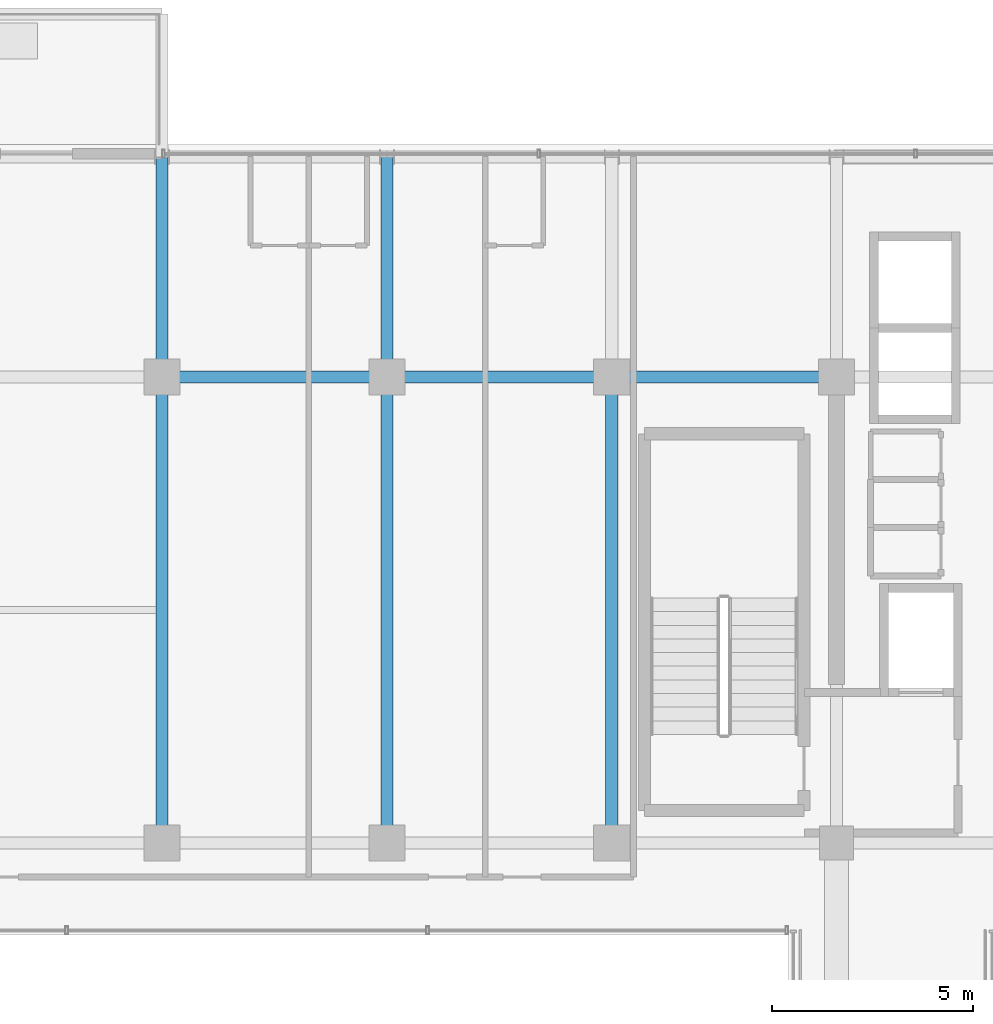
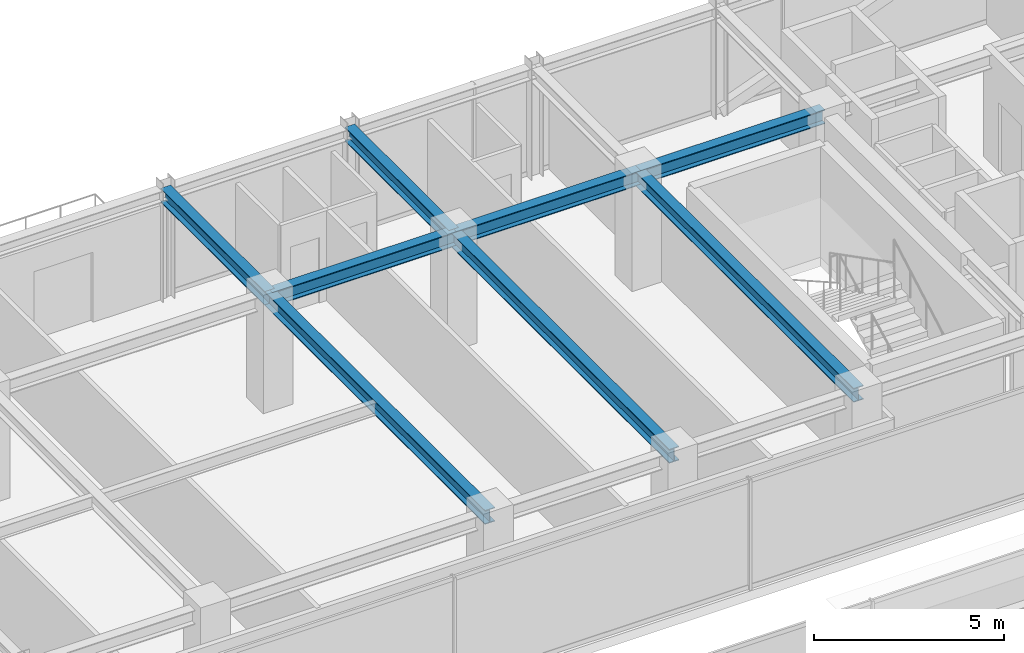
# One storey, part 27 of 41: 8 beams.
"""IFC4 building model written with IfcOpenShell, lengths in metres."""

import ifcopenshell
import ifcopenshell.guid

model = None  # the IFC model being written
_history = None  # IfcOwnerHistory: only IFC2X3 demands one
_inside = {}  # id of a spatial element -> (the spatial element, [elements in it])
_under = {}  # id of a project, library or spatial element -> (it, [spatial elements below it])
_declared = {}  # id of a project -> (the project, [libraries it declares])
_typed = {}  # id of a type object -> (the type object, [elements of that type])
_made_of = {}  # id of a material, layer set ... -> (it, [elements and type objects made of it])


def new_model(schema):
    """Start an empty IFC model of exactly this schema.

    Asked for "IFC4X3", IfcOpenShell would pick the latest addendum, in which some entities
    have other attributes; the version numbers below select the first issue.
    IFC2X3 requires an IfcOwnerHistory on every rooted entity: one is made here for all.
    """
    global model, _history
    if schema == "IFC4X3":
        model = ifcopenshell.file(schema_version=(4, 3, 0, 0))
    else:
        model = ifcopenshell.file(schema=schema)
    _inside.clear()
    _under.clear()
    _declared.clear()
    _typed.clear()
    _made_of.clear()
    _history = None
    if model.schema == "IFC2X3":
        org = make("IfcOrganization", Name="unknown")
        user = make(
            "IfcPersonAndOrganization",
            ThePerson=make("IfcPerson", FamilyName="unknown"),
            TheOrganization=org,
        )
        app = make(
            "IfcApplication",
            ApplicationDeveloper=org,
            Version="unknown",
            ApplicationFullName="unknown",
            ApplicationIdentifier="unknown",
        )
        _history = make(
            "IfcOwnerHistory",
            OwningUser=user,
            OwningApplication=app,
            ChangeAction="ADDED",
            CreationDate=0,
        )
    return model


def make(cls, **values):
    """One entity of the class cls with the attributes given. An attribute that is None is left unset."""
    return model.create_entity(
        cls, **{name: value for name, value in values.items() if value is not None}
    )


def rooted(cls, **values):
    """An entity with a GlobalId (a new one), such as an element, a storey or a relation."""
    return make(cls, GlobalId=ifcopenshell.guid.new(), OwnerHistory=_history, **values)


def si_unit(unit_type, name, prefix=None):
    """IfcSIUnit, for example si_unit("LENGTHUNIT", "METRE", prefix="MILLI")."""
    return make("IfcSIUnit", UnitType=unit_type, Prefix=prefix, Name=name)


def assignment(units):
    """IfcUnitAssignment: the units of a project."""
    return None if units is None else make("IfcUnitAssignment", Units=units)


def point(xyz):
    """IfcCartesianPoint."""
    return None if xyz is None else make("IfcCartesianPoint", Coordinates=xyz)


def direction(xyz):
    """IfcDirection."""
    return None if xyz is None else make("IfcDirection", DirectionRatios=xyz)


def frame(location, z_axis=None, x_axis=None):
    """IfcAxis2Placement3D, a coordinate frame: its origin and axes. An axis left out is left unset."""
    return make(
        "IfcAxis2Placement3D",
        Location=point(location),
        Axis=direction(z_axis),
        RefDirection=direction(x_axis),
    )


def frame_2d(location, x_axis=None):
    """IfcAxis2Placement2D, a coordinate frame in the plane: its origin and x axis."""
    return make(
        "IfcAxis2Placement2D", Location=point(location), RefDirection=direction(x_axis)
    )


def origin():
    """The frame at (0, 0, 0) with its axes left unset."""
    return frame((0.0, 0.0, 0.0))


def origin_2d():
    """The frame at (0, 0) in the plane with its x axis left unset."""
    return frame_2d((0.0, 0.0))


def place(relative_to, where):
    """IfcLocalPlacement: puts the frame where relative to a parent placement (None: the world)."""
    return make(
        "IfcLocalPlacement", PlacementRelTo=relative_to, RelativePlacement=where
    )


def context(
    kind, dimensions, precision=None, world=None, true_north=None, identifier=None
):
    """IfcGeometricRepresentationContext, for example the 3D "Model" context."""
    return make(
        "IfcGeometricRepresentationContext",
        ContextIdentifier=identifier,
        ContextType=kind,
        CoordinateSpaceDimension=dimensions,
        Precision=precision,
        WorldCoordinateSystem=world,
        TrueNorth=true_north,
    )


def subcontext(parent, identifier, kind, view, scale=None):
    """IfcGeometricRepresentationSubContext, for example "Body" below "Model"."""
    return make(
        "IfcGeometricRepresentationSubContext",
        ContextIdentifier=identifier,
        ContextType=kind,
        ParentContext=parent,
        TargetScale=scale,
        TargetView=view,
    )


def project(units=None, contexts=None):
    """IfcProject with its units and contexts."""
    return rooted(
        "IfcProject",
        Name="project",
        RepresentationContexts=contexts,
        UnitsInContext=assignment(units),
    )


def spatial(cls, under=None, at=None, **own):
    """A site, building, storey or space (cls), placed at a placement, below another one or the project."""
    s = rooted(cls, ObjectPlacement=at, **own)
    if under is not None:
        _under.setdefault(under.id(), (under, []))[1].append(s)
    return s


def profile(cls, at=None, kind="AREA", **sizes):
    """A parametric profile (cls). Its sizes go by their IFC names, for example OverallWidth=200.0."""
    return make(cls, ProfileType=kind, Position=at, **sizes)


def i_section(**sizes):
    """IfcIShapeProfileDef."""
    return profile("IfcIShapeProfileDef", **sizes)


def extrude(swept, where, along, depth):
    """IfcExtrudedAreaSolid: the profile swept, set in the frame where, extruded along a direction by depth."""
    return make(
        "IfcExtrudedAreaSolid",
        SweptArea=swept,
        Position=where,
        ExtrudedDirection=direction(along),
        Depth=depth,
    )


def shape(context_of_items, identifier, shape_type, items):
    """IfcShapeRepresentation: the items that make up one representation, for example the "Body"."""
    return make(
        "IfcShapeRepresentation",
        ContextOfItems=context_of_items,
        RepresentationIdentifier=identifier,
        RepresentationType=shape_type,
        Items=items,
    )


def source(mapping_origin, context_of_items, identifier, shape_type, items):
    """IfcRepresentationMap: a shape defined once, which mapped items show again and again."""
    return make(
        "IfcRepresentationMap",
        MappingOrigin=mapping_origin,
        MappedRepresentation=shape(context_of_items, identifier, shape_type, items),
    )


def transform(
    local_origin,
    x_axis=None,
    y_axis=None,
    z_axis=None,
    scale=None,
    scale2=None,
    scale3=None,
    uniform=True,
):
    """IfcCartesianTransformationOperator3D, or its non-uniform kind. x_axis, y_axis, z_axis: its Axis1, 2, 3."""
    if uniform:
        return make(
            "IfcCartesianTransformationOperator3D",
            Axis1=direction(x_axis),
            Axis2=direction(y_axis),
            LocalOrigin=point(local_origin),
            Scale=scale,
            Axis3=direction(z_axis),
        )
    return make(
        "IfcCartesianTransformationOperator3DnonUniform",
        Axis1=direction(x_axis),
        Axis2=direction(y_axis),
        LocalOrigin=point(local_origin),
        Scale=scale,
        Axis3=direction(z_axis),
        Scale2=scale2,
        Scale3=scale3,
    )


def mapped(mapping_source, mapping_target):
    """IfcMappedItem: shows the shape of a source again, moved by a transform."""
    return make(
        "IfcMappedItem", MappingSource=mapping_source, MappingTarget=mapping_target
    )


def material(Name=None, Category=None):
    """IfcMaterial."""
    return make("IfcMaterial", Name=Name, Category=Category)


def material_profile(
    of_material, cross_section, Name=None, Category=None, Priority=None
):
    """IfcMaterialProfile: a cross section and its material."""
    return make(
        "IfcMaterialProfile",
        Name=Name,
        Material=of_material,
        Profile=cross_section,
        Priority=Priority,
        Category=Category,
    )


def profile_set(profiles, Name=None, composite=None):
    """IfcMaterialProfileSet."""
    return make(
        "IfcMaterialProfileSet",
        Name=Name,
        MaterialProfiles=profiles,
        CompositeProfile=composite,
    )


def made_of(thing, what):
    """Note that an element or type object is made of a material, layer set ...; save() writes the relation."""
    if what is not None:
        _made_of.setdefault(what.id(), (what, []))[1].append(thing)
    return thing


def type_object(cls, material=None, **own):
    """A type object (cls), such as IfcWallType, which elements share."""
    return made_of(rooted(cls, **own), material)


def element(
    cls,
    number,
    at=None,
    inside=None,
    cuts=None,
    type_object=None,
    material=None,
    context=None,
    identifier="Body",
    shape_type=None,
    held_by="IfcProductDefinitionShape",
    body=None,
    shapes=None,
    **own,
):
    """One element of the class cls, such as IfcWall. Its Tag is "e" and its number.

    at: its placement. inside: the storey or other place that contains it. cuts: it is an
    opening in that element (IfcRelVoidsElement). A single representation is given by context,
    identifier, shape_type and body (its items); several are given by shapes. held_by: the class
    of the entity that holds the representations. save() writes the other relations.
    """
    e = rooted(cls, Tag="e%d" % number, ObjectPlacement=at, **own)
    if body is not None:
        shapes = [shape(context, identifier, shape_type, body)]
    if shapes is not None:
        e.Representation = make(held_by, Representations=shapes)
    if inside is not None:
        _inside.setdefault(inside.id(), (inside, []))[1].append(e)
    if cuts is not None:
        rooted(
            "IfcRelVoidsElement", RelatingBuildingElement=cuts, RelatedOpeningElement=e
        )
    if type_object is not None:
        _typed.setdefault(type_object.id(), (type_object, []))[1].append(e)
    return made_of(e, material)


def aggregate(whole, parts):
    """IfcRelAggregates: a whole, such as a stair, and the parts it consists of."""
    return rooted("IfcRelAggregates", RelatingObject=whole, RelatedObjects=parts)


def save(model, path):
    """Write the relations noted so far, then the file.

    IfcRelAggregates (storeys below a building ...), IfcRelContainedInSpatialStructure (elements
    in a storey), IfcRelDefinesByType, IfcRelAssociatesMaterial and IfcRelDeclares: one each for
    every whole, place, type object, material and project.
    """
    for whole, parts in _under.values():
        aggregate(whole, parts)
    for where, things in _inside.values():
        rooted(
            "IfcRelContainedInSpatialStructure",
            RelatedElements=things,
            RelatingStructure=where,
        )
    for kind, things in _typed.values():
        rooted("IfcRelDefinesByType", RelatedObjects=things, RelatingType=kind)
    for what, things in _made_of.values():
        rooted("IfcRelAssociatesMaterial", RelatedObjects=things, RelatingMaterial=what)
    for by, libraries in _declared.values():
        rooted("IfcRelDeclares", RelatingContext=by, RelatedDefinitions=libraries)
    model.write(path)


model = new_model("IFC4")

# Units and contexts
model_context = context("Model", 3, precision=1e-05, world=origin(), true_north=direction((0.0, 1.0)))
body_context = subcontext(model_context, "Body", "Model", "MODEL_VIEW")
ifc_project = project(units=[si_unit("LENGTHUNIT", "METRE"), si_unit("AREAUNIT", "SQUARE_METRE"), si_unit("VOLUMEUNIT", "CUBIC_METRE"), si_unit("PLANEANGLEUNIT", "RADIAN"), si_unit("MASSUNIT", "GRAM", prefix="KILO")], contexts=[model_context])

# Site, building, storey
site_placement = place(None, origin())
site = spatial("IfcSite", under=ifc_project, at=site_placement, CompositionType="ELEMENT")
building_placement = place(site_placement, origin())
building = spatial("IfcBuilding", under=site, at=building_placement, Name="Nahalor Promenade Grand Hotel", CompositionType="ELEMENT")
storey_placement = place(building_placement, frame((0.0, 0.0, 304.199951171875)))
storey = spatial("IfcBuildingStorey", under=building, at=storey_placement, Name="L78", CompositionType="ELEMENT", Elevation=304.199951171875)

# Beams
ifc_material = material(Name="Steel S355JR", Category="steel")
ifc_material_profile = material_profile(ifc_material, i_section(OverallWidth=0.3, OverallDepth=0.45, WebThickness=0.014, FlangeThickness=0.026, at=origin_2d()), Name="HEB 450")
ifc_profile_set = profile_set([ifc_material_profile], Name="Steel S355JR")
beam_type = type_object("IfcBeamType", Name="Beam-Girder-HEB450", PredefinedType="BEAM", material=ifc_profile_set)
shared_shape_1 = source(origin(), body_context, "Body", "SweptSolid", [
    extrude(i_section(OverallWidth=0.3, OverallDepth=0.45, WebThickness=0.014, FlangeThickness=0.026, at=origin_2d()), origin(), (0.0, 0.0, 1.0), 5.599853515625),
])
for number, where, z_axis, x_axis, name in (
    (1, (-8.39990234375, 17.0, 3.324951171875), (1.0, 0.0, 0.0), (0.0, 1.0, 0.0), "BM-L78-GX-3-2"),
    (2, (2.800048828125, 17.0, 3.324951171875), (1.0, 0.0, 0.0), (0.0, 1.0, 0.0), "BM-L78-GX-3-4"),
):
    element("IfcBeam", number, at=place(storey_placement, frame(where, z_axis=z_axis, x_axis=x_axis)), inside=storey, type_object=beam_type, Name=name, PredefinedType="BEAM", context=body_context, shape_type="MappedRepresentation", body=[
        mapped(shared_shape_1, transform((0.0, 0.0, 0.0), scale=1.0)),
    ])
shared_shape_2 = source(origin(), body_context, "Body", "SweptSolid", [
    extrude(i_section(OverallWidth=0.3, OverallDepth=0.45, WebThickness=0.014, FlangeThickness=0.026, at=origin_2d()), origin(), (0.0, 0.0, 1.0), 5.60009765625),
])
beam_placement = place(storey_placement, frame((-2.800048828125, 17.0, 3.324951171875), z_axis=(1.0, 0.0, 0.0), x_axis=(0.0, 1.0, 0.0)))
element("IfcBeam", 3, at=beam_placement, inside=storey, type_object=beam_type, Name="BM-L78-GX-3-3", PredefinedType="BEAM", context=body_context, shape_type="MappedRepresentation", body=[
    mapped(shared_shape_2, transform((0.0, 0.0, 0.0), scale=1.0)),
])
shared_shape_3 = source(origin(), body_context, "Body", "SweptSolid", [
    extrude(i_section(OverallWidth=0.3, OverallDepth=0.45, WebThickness=0.014, FlangeThickness=0.026, at=origin_2d()), origin(), (0.0, 0.0, 1.0), 11.60009765625),
])
for number, where, z_axis, x_axis, name in (
    (4, (-8.39990234375, 5.39990234375, 3.324951171875), (0.0, 1.0, 0.0), (-1.0, 0.0, 0.0), "BM-L78-GY-1-3"),
    (5, (-2.800048828125, 5.39990234375, 3.324951171875), (0.0, 1.0, 0.0), (-1.0, 0.0, 0.0), "BM-L78-GY-2-3"),
    (6, (2.800048828125, 5.39990234375, 3.324951171875), (0.0, 1.0, 0.0), (-1.0, 0.0, 0.0), "BM-L78-GY-3-3"),
):
    element("IfcBeam", number, at=place(storey_placement, frame(where, z_axis=z_axis, x_axis=x_axis)), inside=storey, type_object=beam_type, Name=name, PredefinedType="BEAM", context=body_context, shape_type="MappedRepresentation", body=[
        mapped(shared_shape_3, transform((0.0, 0.0, 0.0), scale=1.0)),
    ])
shared_shape_4 = source(origin(), body_context, "Body", "SweptSolid", [
    extrude(i_section(OverallWidth=0.3, OverallDepth=0.45, WebThickness=0.014, FlangeThickness=0.026, at=origin_2d()), origin(), (0.0, 0.0, 1.0), 5.47998046875),
])
for number, where, z_axis, x_axis, name in (
    (7, (-8.39990234375, 17.0, 3.324951171875), (0.0, 1.0, 0.0), (-1.0, 0.0, 0.0), "BM-L78-GY-1-4"),
    (8, (-2.800048828125, 17.0, 3.324951171875), (0.0, 1.0, 0.0), (-1.0, 0.0, 0.0), "BM-L78-GY-2-4"),
):
    element("IfcBeam", number, at=place(storey_placement, frame(where, z_axis=z_axis, x_axis=x_axis)), inside=storey, type_object=beam_type, Name=name, PredefinedType="BEAM", context=body_context, shape_type="MappedRepresentation", body=[
        mapped(shared_shape_4, transform((0.0, 0.0, 0.0), scale=1.0)),
    ])

save(model, "model.ifc")
